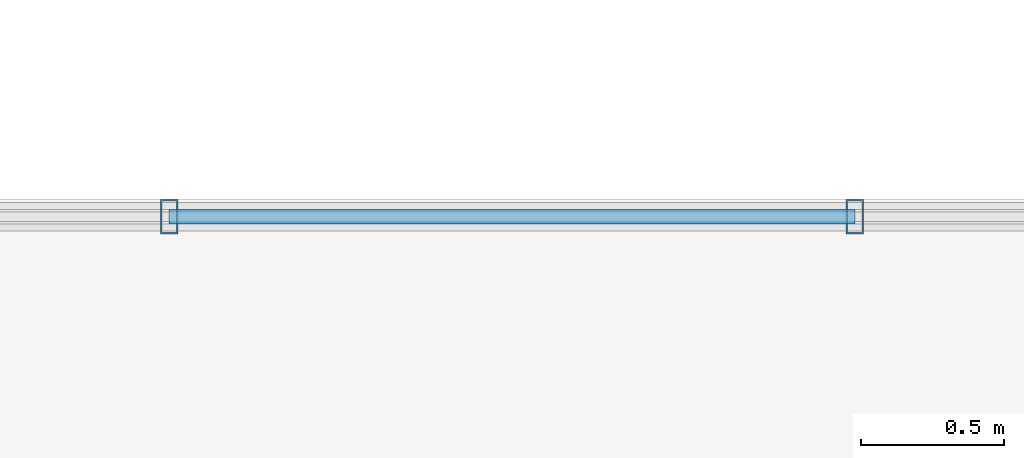
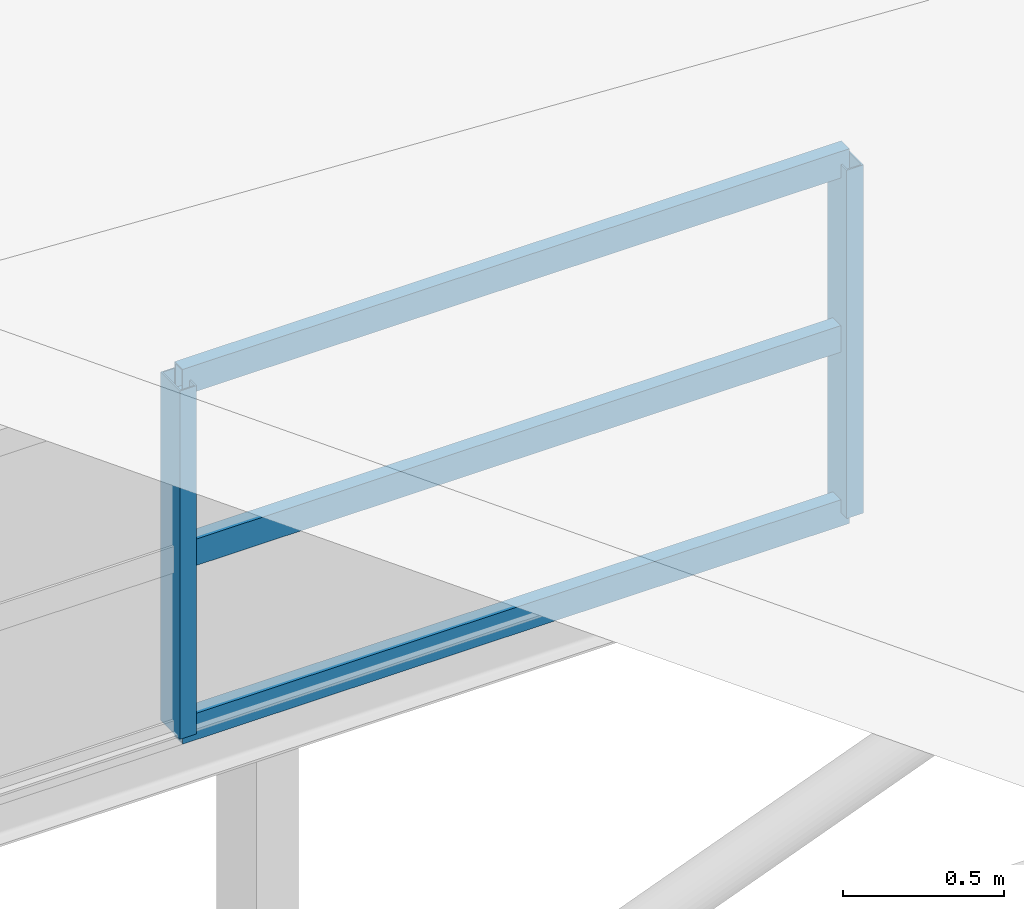
# One storey, part 67 of 141: 5 members, 1 element without a shape of its own.
"""IFC4 building model written with IfcOpenShell, lengths in metres."""

from ifc_helpers import new_model, si_unit, direction, frame, origin, origin_2d, place, context, subcontext, project, spatial, hollow_rectangle, extrude, material, material_profile, profile_set, type_object, element, aggregate, save


model = new_model("IFC4")

# Units and contexts
model_context = context("Model", 3, precision=1e-05, world=origin(), true_north=direction((0.0, 1.0)))
body_context = subcontext(model_context, "Body", "Model", "MODEL_VIEW")
ifc_project = project(units=[si_unit("LENGTHUNIT", "METRE"), si_unit("AREAUNIT", "SQUARE_METRE"), si_unit("VOLUMEUNIT", "CUBIC_METRE"), si_unit("PLANEANGLEUNIT", "RADIAN"), si_unit("MASSUNIT", "GRAM", prefix="KILO")], contexts=[model_context])

# Site, building, storey
site_placement = place(None, origin())
site = spatial("IfcSite", under=ifc_project, at=site_placement, CompositionType="ELEMENT")
building_placement = place(site_placement, origin())
building = spatial("IfcBuilding", under=site, at=building_placement, Name="Sundkrona Museum", CompositionType="ELEMENT")
storey_placement = place(building_placement, frame((0.0, 0.0, 34.0)))
storey = spatial("IfcBuildingStorey", under=building, at=storey_placement, Name="RF", CompositionType="ELEMENT", Elevation=34.0)

# Curtain wall, members
ifc_material_1 = material(Name="Unitised Aluminium-Steel and Ceramic-Clad Curtain Walling", Category="steel")
curtain_wall_type = type_object("IfcCurtainWallType", Name="CW-SW-240x13", PredefinedType="NOTDEFINED", material=ifc_material_1)
curtain_wall_placement = place(storey_placement, origin())
curtain_wall = element("IfcCurtainWall", 1, at=curtain_wall_placement, inside=storey, type_object=curtain_wall_type, Name="Sawtooth Bay 4 East North-Light Clerestory", PredefinedType="NOTDEFINED")
ifc_material_2 = material(Name="Aluminium EN AW-6060 T66", Category="aluminium")
ifc_material_profile_1 = material_profile(ifc_material_2, hollow_rectangle(XDim=0.06005859375, YDim=0.1201171875, WallThickness=0.0048828125, at=origin_2d()), Name="RHS 120x60x5.0")
ifc_profile_set_1 = profile_set([ifc_material_profile_1], Name="Aluminium EN AW-6060 T66")
member_type_1 = type_object("IfcMemberType", Name="ML-120", PredefinedType="MULLION", material=ifc_profile_set_1)
member_1_placement = place(storey_placement, frame((158.389892578125, 26.5, 3.472900390625), z_axis=(0.0, 0.0, 1.0), x_axis=(1.0, 0.0, 0.0)))
member_1 = element("IfcMember", 2, at=member_1_placement, type_object=member_type_1, Name="CW-RF-SAW-04E Mullion 07", PredefinedType="MULLION", context=body_context, shape_type="SweptSolid", body=[
    extrude(hollow_rectangle(XDim=0.06005859375, YDim=0.1201171875, WallThickness=0.0048828125, at=origin_2d()), origin(), (0.0, 0.0, 1.0), 1.320068359375),
])
member_2_placement = place(storey_placement, frame((160.780029296875, 26.5, 3.472900390625), z_axis=(0.0, 0.0, 1.0), x_axis=(1.0, 0.0, 0.0)))
member_2 = element("IfcMember", 3, at=member_2_placement, type_object=member_type_1, Name="CW-RF-SAW-04E Mullion 08", PredefinedType="MULLION", context=body_context, shape_type="SweptSolid", body=[
    extrude(hollow_rectangle(XDim=0.06005859375, YDim=0.1201171875, WallThickness=0.0048828125, at=origin_2d()), origin(), (0.0, 0.0, 1.0), 1.320068359375),
])
ifc_material_profile_2 = material_profile(ifc_material_2, hollow_rectangle(XDim=0.050048828125, YDim=0.10009765625, WallThickness=0.0048828125, at=origin_2d()), Name="RHS 100x50x5.0")
ifc_profile_set_2 = profile_set([ifc_material_profile_2], Name="Aluminium EN AW-6060 T66")
member_type_2 = type_object("IfcMemberType", Name="TR-100", PredefinedType="USERDEFINED", material=ifc_profile_set_2)
member_3_placement = place(storey_placement, frame((158.389892578125, 26.5, 3.472900390625), z_axis=(1.0, 0.0, 0.0), x_axis=(0.0, 1.0, 0.0)))
member_3 = element("IfcMember", 4, at=member_3_placement, type_object=member_type_2, Name="CW-RF-SAW-04E Transom 19", ObjectType="TRANSOM", PredefinedType="USERDEFINED", context=body_context, shape_type="SweptSolid", body=[
    extrude(hollow_rectangle(XDim=0.050048828125, YDim=0.10009765625, WallThickness=0.0048828125, at=origin_2d()), origin(), (0.0, 0.0, 1.0), 2.39013671875),
])
member_4_placement = place(storey_placement, frame((158.389892578125, 26.5, 4.133056640625), z_axis=(1.0, 0.0, 0.0), x_axis=(0.0, 1.0, 0.0)))
member_4 = element("IfcMember", 5, at=member_4_placement, type_object=member_type_2, Name="CW-RF-SAW-04E Transom 20", ObjectType="TRANSOM", PredefinedType="USERDEFINED", context=body_context, shape_type="SweptSolid", body=[
    extrude(hollow_rectangle(XDim=0.050048828125, YDim=0.10009765625, WallThickness=0.0048828125, at=origin_2d()), origin(), (0.0, 0.0, 1.0), 2.39013671875),
])
member_5_placement = place(storey_placement, frame((158.389892578125, 26.5, 4.79296875), z_axis=(1.0, 0.0, 0.0), x_axis=(0.0, 1.0, 0.0)))
member_5 = element("IfcMember", 6, at=member_5_placement, type_object=member_type_2, Name="CW-RF-SAW-04E Transom 21", ObjectType="TRANSOM", PredefinedType="USERDEFINED", context=body_context, shape_type="SweptSolid", body=[
    extrude(hollow_rectangle(XDim=0.050048828125, YDim=0.10009765625, WallThickness=0.0048828125, at=origin_2d()), origin(), (0.0, 0.0, 1.0), 2.39013671875),
])
aggregate(curtain_wall, [member_1, member_2, member_3, member_4, member_5])

save(model, "model.ifc")
